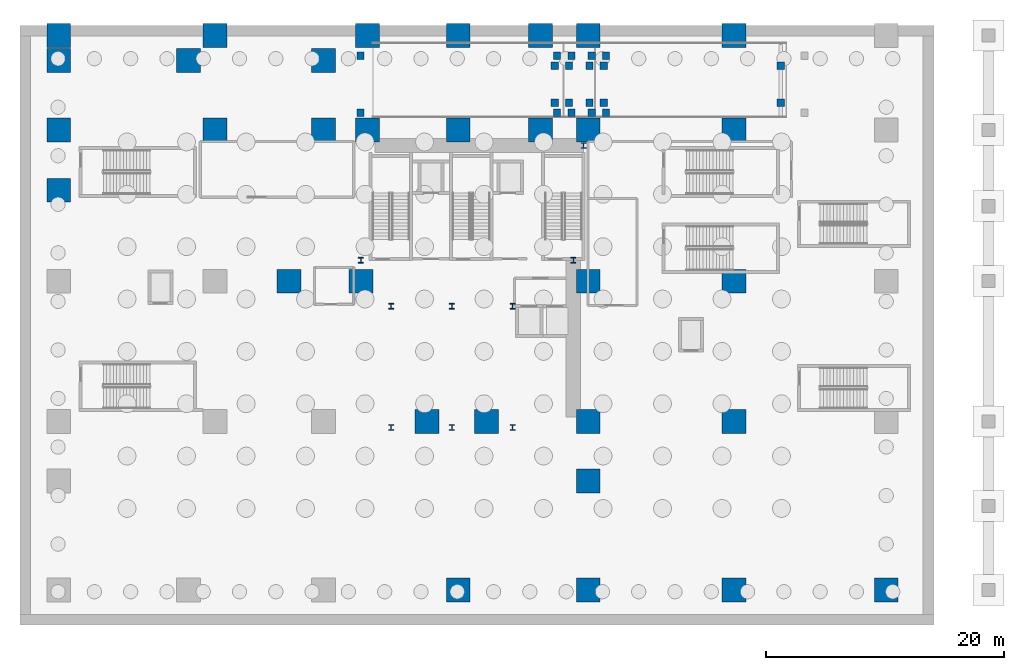
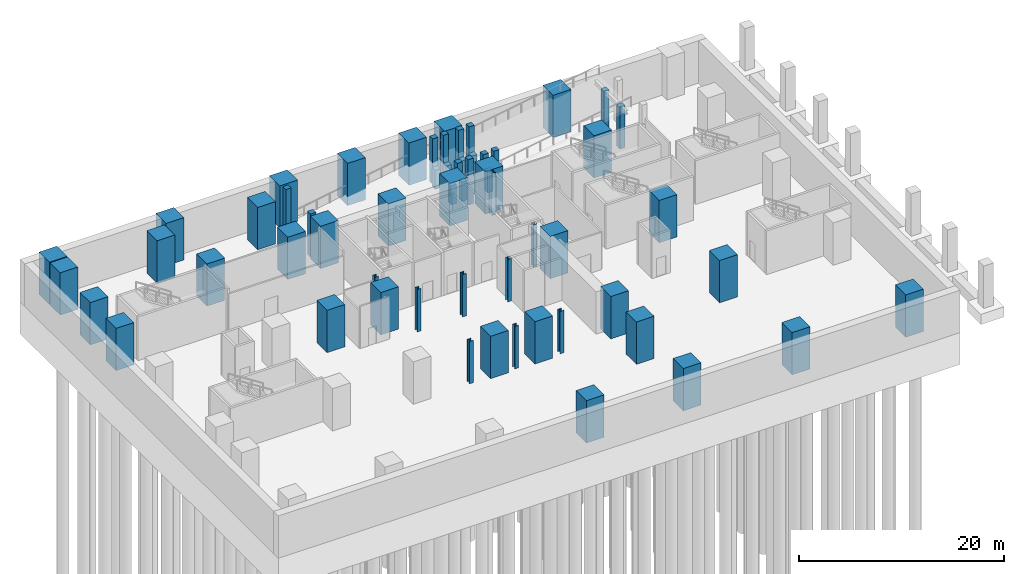
# One storey, part 2 of 14: 61 columns.
"""IFC4 building model written with IfcOpenShell, lengths in metres."""

from ifc_helpers import new_model, si_unit, direction, frame, origin, origin_2d, place, context, subcontext, project, spatial, rectangle, i_section, extrude, source, transform, mapped, material, material_profile, profile_set, type_object, element, save


model = new_model("IFC4")

# Units and contexts
model_context = context("Model", 3, precision=1e-05, world=origin(), true_north=direction((0.0, 1.0)))
body_context = subcontext(model_context, "Body", "Model", "MODEL_VIEW")
ifc_project = project(units=[si_unit("LENGTHUNIT", "METRE"), si_unit("AREAUNIT", "SQUARE_METRE"), si_unit("VOLUMEUNIT", "CUBIC_METRE"), si_unit("PLANEANGLEUNIT", "RADIAN"), si_unit("MASSUNIT", "GRAM", prefix="KILO")], contexts=[model_context])

# Site, building, storey
site_placement = place(None, origin())
site = spatial("IfcSite", under=ifc_project, at=site_placement, CompositionType="ELEMENT")
building_placement = place(site_placement, origin())
building = spatial("IfcBuilding", under=site, at=building_placement, Name="Vardaveli Station Tower", CompositionType="ELEMENT")
storey_placement = place(building_placement, frame((0.0, 0.0, -11.39990234375)))
storey = spatial("IfcBuildingStorey", under=building, at=storey_placement, Name="B02", CompositionType="ELEMENT", Elevation=-11.39990234375)

# Columns
ifc_material_1 = material(Name="Structural steel S460M", Category="steel")
ifc_material_profile_1 = material_profile(ifc_material_1, i_section(OverallWidth=0.427978515625, OverallDepth=0.48095703125, WebThickness=0.03955078125, FlangeThickness=0.0634765625, FilletRadius=0.014892578125, at=origin_2d()), Name="HD 400x677")
ifc_profile_set_1 = profile_set([ifc_material_profile_1], Name="Structural steel S460M")
column_type_1 = type_object("IfcColumnType", Name="COL-HD677", PredefinedType="COLUMN", material=ifc_profile_set_1)
shared_shape_1 = source(origin(), body_context, "Body", "SweptSolid", [
    extrude(i_section(OverallWidth=0.427978515625, OverallDepth=0.48095703125, WebThickness=0.03955078125, FlangeThickness=0.0634765625, FilletRadius=0.014892578125, at=origin_2d()), origin(), (0.0, 0.0, 1.0), 5.039794921875),
])
for number, where, z_axis, x_axis, name in (
    (1, (31.199951171875, 16.60009765625, 0.0), (0.0, 0.0, 1.0), (1.0, 0.0, 0.0), "COL-B02-AC1"),
    (2, (36.300048828125, 16.60009765625, 0.0), (0.0, 0.0, 1.0), (1.0, 0.0, 0.0), "COL-B02-AC2"),
    (3, (41.39990234375, 16.60009765625, 0.0), (0.0, 0.0, 1.0), (1.0, 0.0, 0.0), "COL-B02-AC3"),
    (4, (41.39990234375, 26.800048828125, 0.0), (0.0, 0.0, 1.0), (1.0, 0.0, 0.0), "COL-B02-AC4"),
    (5, (36.300048828125, 26.800048828125, 0.0), (0.0, 0.0, 1.0), (1.0, 0.0, 0.0), "COL-B02-AC5"),
    (6, (31.199951171875, 26.800048828125, 0.0), (0.0, 0.0, 1.0), (1.0, 0.0, 0.0), "COL-B02-AC6"),
    (7, (28.64990234375, 30.64990234375, 0.0), (0.0, 0.0, 1.0), (1.0, 0.0, 0.0), "COL-B02-CC1"),
    (8, (46.5, 30.64990234375, 0.0), (0.0, 0.0, 1.0), (1.0, 0.0, 0.0), "COL-B02-CC2"),
    (9, (47.3701171875, 40.300048828125, 0.0), (0.0, 0.0, 1.0), (1.0, 0.0, 0.0), "COL-B02-CC3"),
):
    element("IfcColumn", number, at=place(storey_placement, frame(where, z_axis=z_axis, x_axis=x_axis)), inside=storey, type_object=column_type_1, Name=name, PredefinedType="COLUMN", context=body_context, shape_type="MappedRepresentation", body=[
        mapped(shared_shape_1, transform((0.0, 0.0, 0.0), scale=1.0)),
    ])
ifc_material_2 = material(Name="Concrete C70/85", Category="concrete")
ifc_material_profile_2 = material_profile(ifc_material_2, rectangle(XDim=2.0, YDim=2.0, at=origin_2d()), Name="SC 2000x2000")
ifc_profile_set_2 = profile_set([ifc_material_profile_2], Name="Concrete C70/85")
column_type_2 = type_object("IfcColumnType", Name="COL-SC-2000", PredefinedType="COLUMN", material=ifc_profile_set_2)
shared_shape_2 = source(origin(), body_context, "Body", "SweptSolid", [
    extrude(rectangle(XDim=2.0, YDim=2.0, at=origin_2d()), origin(), (0.0, 0.0, 1.0), 5.039794921875),
])
for number, where, z_axis, x_axis, name in (
    (10, (36.840087890625, 2.949951171875, 0.0), (0.0, 0.0, 1.0), (1.0, 0.0, 0.0), "COL-B02-SC04"),
    (11, (47.75, 2.949951171875, 0.0), (0.0, 0.0, 1.0), (1.0, 0.0, 0.0), "COL-B02-SC05"),
    (12, (60.0, 2.949951171875, 0.0), (0.0, 0.0, 1.0), (1.0, 0.0, 0.0), "COL-B02-SC06"),
    (13, (72.800048828125, 2.949951171875, 0.0), (0.0, 0.0, 1.0), (1.0, 0.0, 0.0), "COL-B02-SC07"),
    (14, (47.75, 12.10009765625, 0.0), (0.0, 0.0, 1.0), (1.0, 0.0, 0.0), "COL-B02-SC09"),
    (15, (34.199951171875, 17.10009765625, 0.0), (0.0, 0.0, 1.0), (1.0, 0.0, 0.0), "COL-B02-SC12B"),
    (16, (39.199951171875, 17.10009765625, 0.0), (0.0, 0.0, 1.0), (1.0, 0.0, 0.0), "COL-B02-SC12C"),
    (17, (47.75, 17.10009765625, 0.0), (0.0, 0.0, 1.0), (1.0, 0.0, 0.0), "COL-B02-SC13"),
    (18, (60.0, 17.10009765625, 0.0), (0.0, 0.0, 1.0), (1.0, 0.0, 0.0), "COL-B02-SC14"),
    (19, (22.60009765625, 28.89990234375, 0.0), (0.0, 0.0, 1.0), (1.0, 0.0, 0.0), "COL-B02-SC17B"),
    (20, (28.64990234375, 28.89990234375, 0.0), (0.0, 0.0, 1.0), (1.0, 0.0, 0.0), "COL-B02-SC17C"),
    (21, (47.75, 28.89990234375, 0.0), (0.0, 0.0, 1.0), (1.0, 0.0, 0.0), "COL-B02-SC18"),
    (22, (60.0, 28.89990234375, 0.0), (0.0, 0.0, 1.0), (1.0, 0.0, 0.0), "COL-B02-SC18B"),
    (23, (3.25, 36.5400390625, 0.0), (0.0, 0.0, 1.0), (1.0, 0.0, 0.0), "COL-B02-SC20"),
    (24, (3.25, 41.60009765625, 0.0), (0.0, 0.0, 1.0), (1.0, 0.0, 0.0), "COL-B02-SC20B"),
    (25, (3.25, 49.550048828125, 0.0), (0.0, 0.0, 1.0), (1.0, 0.0, 0.0), "COL-B02-SC20C"),
    (26, (16.39990234375, 41.60009765625, 0.0), (0.0, 0.0, 1.0), (1.0, 0.0, 0.0), "COL-B02-SC21"),
    (27, (25.5, 41.60009765625, 0.0), (0.0, 0.0, 1.0), (1.0, 0.0, 0.0), "COL-B02-SC21B"),
    (28, (29.199951171875, 41.60009765625, 0.0), (0.0, 0.0, 1.0), (1.0, 0.0, 0.0), "COL-B02-SC22"),
    (29, (36.840087890625, 41.60009765625, 0.0), (0.0, 0.0, 1.0), (1.0, 0.0, 0.0), "COL-B02-SC23"),
    (30, (43.75, 41.60009765625, 0.0), (0.0, 0.0, 1.0), (1.0, 0.0, 0.0), "COL-B02-SC24"),
    (31, (47.75, 41.60009765625, 0.0), (0.0, 0.0, 1.0), (1.0, 0.0, 0.0), "COL-B02-SC25"),
    (32, (60.0, 41.60009765625, 0.0), (0.0, 0.0, 1.0), (1.0, 0.0, 0.0), "COL-B02-SC26"),
    (33, (3.25, 47.449951171875, 0.0), (0.0, 0.0, 1.0), (1.0, 0.0, 0.0), "COL-B02-SC28"),
    (34, (14.159912109375, 47.449951171875, 0.0), (0.0, 0.0, 1.0), (1.0, 0.0, 0.0), "COL-B02-SC29"),
    (35, (25.5, 47.449951171875, 0.0), (0.0, 0.0, 1.0), (1.0, 0.0, 0.0), "COL-B02-SC30"),
    (36, (16.39990234375, 49.550048828125, 0.0), (0.0, 0.0, 1.0), (1.0, 0.0, 0.0), "COL-B02-SC30B"),
    (37, (29.199951171875, 49.550048828125, 0.0), (0.0, 0.0, 1.0), (1.0, 0.0, 0.0), "COL-B02-SC31"),
    (38, (36.840087890625, 49.550048828125, 0.0), (0.0, 0.0, 1.0), (1.0, 0.0, 0.0), "COL-B02-SC32"),
    (39, (43.75, 49.550048828125, 0.0), (0.0, 0.0, 1.0), (1.0, 0.0, 0.0), "COL-B02-SC33"),
    (40, (47.75, 49.550048828125, 0.0), (0.0, 0.0, 1.0), (1.0, 0.0, 0.0), "COL-B02-SC34"),
    (41, (60.0, 49.550048828125, 0.0), (0.0, 0.0, 1.0), (1.0, 0.0, 0.0), "COL-B02-SC35"),
):
    element("IfcColumn", number, at=place(storey_placement, frame(where, z_axis=z_axis, x_axis=x_axis)), inside=storey, type_object=column_type_2, Name=name, PredefinedType="COLUMN", context=body_context, shape_type="MappedRepresentation", body=[
        mapped(shared_shape_2, transform((0.0, 0.0, 0.0), scale=1.0)),
    ])
ifc_material_3 = material(Name="Concrete C50/60", Category="concrete")
ifc_material_profile_3 = material_profile(ifc_material_3, rectangle(XDim=0.60009765625, YDim=0.60009765625, at=origin_2d()), Name="RC 600x600")
ifc_profile_set_3 = profile_set([ifc_material_profile_3], Name="Concrete C50/60")
column_type_3 = type_object("IfcColumnType", Name="COL-RC-600", PredefinedType="COLUMN", material=ifc_profile_set_3)
shared_shape_3 = source(origin(), body_context, "Body", "SweptSolid", [
    extrude(rectangle(XDim=0.60009765625, YDim=0.60009765625, at=origin_2d()), origin(), (0.0, 0.0, 1.0), 5.39990234375),
])
for number, where, z_axis, x_axis, name in (
    (42, (49.260009765625, 43.050048828125, 0.0), (0.0, 0.0, 1.0), (1.0, 0.0, 0.0), "RMP-VEH-01-COLF1BB2-1"),
    (43, (49.260009765625, 47.85009765625, 0.0), (0.0, 0.0, 1.0), (1.0, 0.0, 0.0), "RMP-VEH-01-COLF1BB2-2"),
    (44, (46.35009765625, 43.050048828125, 0.0), (0.0, 0.0, 1.0), (1.0, 0.0, 0.0), "RMP-VEH-01-COLB2-1"),
    (45, (48.050048828125, 43.050048828125, 0.0), (0.0, 0.0, 1.0), (1.0, 0.0, 0.0), "RMP-VEH-01-COLB2-2"),
    (46, (46.35009765625, 47.85009765625, 0.0), (0.0, 0.0, 1.0), (1.0, 0.0, 0.0), "RMP-VEH-01-COLB2-3"),
    (47, (48.050048828125, 47.85009765625, 0.0), (0.0, 0.0, 1.0), (1.0, 0.0, 0.0), "RMP-VEH-01-COLB2-4"),
    (48, (45.139892578125, 43.050048828125, 0.0), (0.0, 0.0, 1.0), (1.0, 0.0, 0.0), "RMP-VEH-01-COLF2TB2-1"),
    (49, (45.139892578125, 47.85009765625, 0.0), (0.0, 0.0, 1.0), (1.0, 0.0, 0.0), "RMP-VEH-01-COLF2TB2-2"),
):
    element("IfcColumn", number, at=place(storey_placement, frame(where, z_axis=z_axis, x_axis=x_axis)), inside=storey, type_object=column_type_3, Name=name, PredefinedType="COLUMN", context=body_context, shape_type="MappedRepresentation", body=[
        mapped(shared_shape_3, transform((0.0, 0.0, 0.0), scale=1.0)),
    ])
shared_shape_4 = source(origin(), body_context, "Body", "SweptSolid", [
    extrude(rectangle(XDim=0.60009765625, YDim=0.60009765625, at=origin_2d()), origin(), (0.0, 0.0, 1.0), 5.16259765625),
])
for number, where, z_axis, x_axis, name in (
    (50, (28.610107421875, 43.050048828125, 0.0), (0.0, 0.0, 1.0), (1.0, 0.0, 0.0), "RMP-VEH-01-COLF2BB2-1"),
    (51, (28.610107421875, 47.85009765625, 0.0), (0.0, 0.0, 1.0), (1.0, 0.0, 0.0), "RMP-VEH-01-COLF2BB2-2"),
):
    element("IfcColumn", number, at=place(storey_placement, frame(where, z_axis=z_axis, x_axis=x_axis)), inside=storey, type_object=column_type_3, Name=name, PredefinedType="COLUMN", context=body_context, shape_type="MappedRepresentation", body=[
        mapped(shared_shape_4, transform((0.0, 0.0, 0.0), scale=1.0)),
    ])
shared_shape_5 = source(origin(), body_context, "Body", "SweptSolid", [
    extrude(rectangle(XDim=0.60009765625, YDim=0.60009765625, at=origin_2d()), origin(), (0.0, 0.0, 1.0), 4.994140625),
])
for number, where, z_axis, x_axis, name in (
    (52, (63.93994140625, 43.89990234375, 0.0), (0.0, 0.0, 1.0), (1.0, 0.0, 0.0), "RMP-VEH-02-COLT1"),
    (53, (63.93994140625, 47.0, 0.0), (0.0, 0.0, 1.0), (1.0, 0.0, 0.0), "RMP-VEH-02-COLT2"),
):
    element("IfcColumn", number, at=place(storey_placement, frame(where, z_axis=z_axis, x_axis=x_axis)), inside=storey, type_object=column_type_3, Name=name, PredefinedType="COLUMN", context=body_context, shape_type="MappedRepresentation", body=[
        mapped(shared_shape_5, transform((0.0, 0.0, 0.0), scale=1.0)),
    ])
shared_shape_6 = source(origin(), body_context, "Body", "SweptSolid", [
    extrude(rectangle(XDim=0.60009765625, YDim=0.60009765625, at=origin_2d()), origin(), (0.0, 0.0, 1.0), 2.48779296875),
])
for number, where, z_axis, x_axis, name in (
    (54, (49.06005859375, 43.89990234375, 0.0), (0.0, 0.0, 1.0), (1.0, 0.0, 0.0), "RMP-VEH-02-COLF1B1"),
    (55, (49.06005859375, 47.0, 0.0), (0.0, 0.0, 1.0), (1.0, 0.0, 0.0), "RMP-VEH-02-COLF1B2"),
):
    element("IfcColumn", number, at=place(storey_placement, frame(where, z_axis=z_axis, x_axis=x_axis)), inside=storey, type_object=column_type_3, Name=name, PredefinedType="COLUMN", context=body_context, shape_type="MappedRepresentation", body=[
        mapped(shared_shape_6, transform((0.0, 0.0, 0.0), scale=1.0)),
    ])
shared_shape_7 = source(origin(), body_context, "Body", "SweptSolid", [
    extrude(rectangle(XDim=0.60009765625, YDim=0.60009765625, at=origin_2d()), origin(), (0.0, 0.0, 1.0), 2.2998046875),
])
for number, where, z_axis, x_axis, name in (
    (56, (46.14990234375, 43.89990234375, 0.0), (0.0, 0.0, 1.0), (1.0, 0.0, 0.0), "RMP-VEH-02-COL1"),
    (57, (47.85009765625, 43.89990234375, 0.0), (0.0, 0.0, 1.0), (1.0, 0.0, 0.0), "RMP-VEH-02-COL2"),
    (58, (46.14990234375, 47.0, 0.0), (0.0, 0.0, 1.0), (1.0, 0.0, 0.0), "RMP-VEH-02-COL3"),
    (59, (47.85009765625, 47.0, 0.0), (0.0, 0.0, 1.0), (1.0, 0.0, 0.0), "RMP-VEH-02-COL4"),
):
    element("IfcColumn", number, at=place(storey_placement, frame(where, z_axis=z_axis, x_axis=x_axis)), inside=storey, type_object=column_type_3, Name=name, PredefinedType="COLUMN", context=body_context, shape_type="MappedRepresentation", body=[
        mapped(shared_shape_7, transform((0.0, 0.0, 0.0), scale=1.0)),
    ])
shared_shape_8 = source(origin(), body_context, "Body", "SweptSolid", [
    extrude(rectangle(XDim=0.60009765625, YDim=0.60009765625, at=origin_2d()), origin(), (0.0, 0.0, 1.0), 2.251708984375),
])
for number, where, z_axis, x_axis, name in (
    (60, (44.93994140625, 43.89990234375, 0.0), (0.0, 0.0, 1.0), (1.0, 0.0, 0.0), "RMP-VEH-02-COLF2T1"),
    (61, (44.93994140625, 47.0, 0.0), (0.0, 0.0, 1.0), (1.0, 0.0, 0.0), "RMP-VEH-02-COLF2T2"),
):
    element("IfcColumn", number, at=place(storey_placement, frame(where, z_axis=z_axis, x_axis=x_axis)), inside=storey, type_object=column_type_3, Name=name, PredefinedType="COLUMN", context=body_context, shape_type="MappedRepresentation", body=[
        mapped(shared_shape_8, transform((0.0, 0.0, 0.0), scale=1.0)),
    ])

save(model, "model.ifc")
